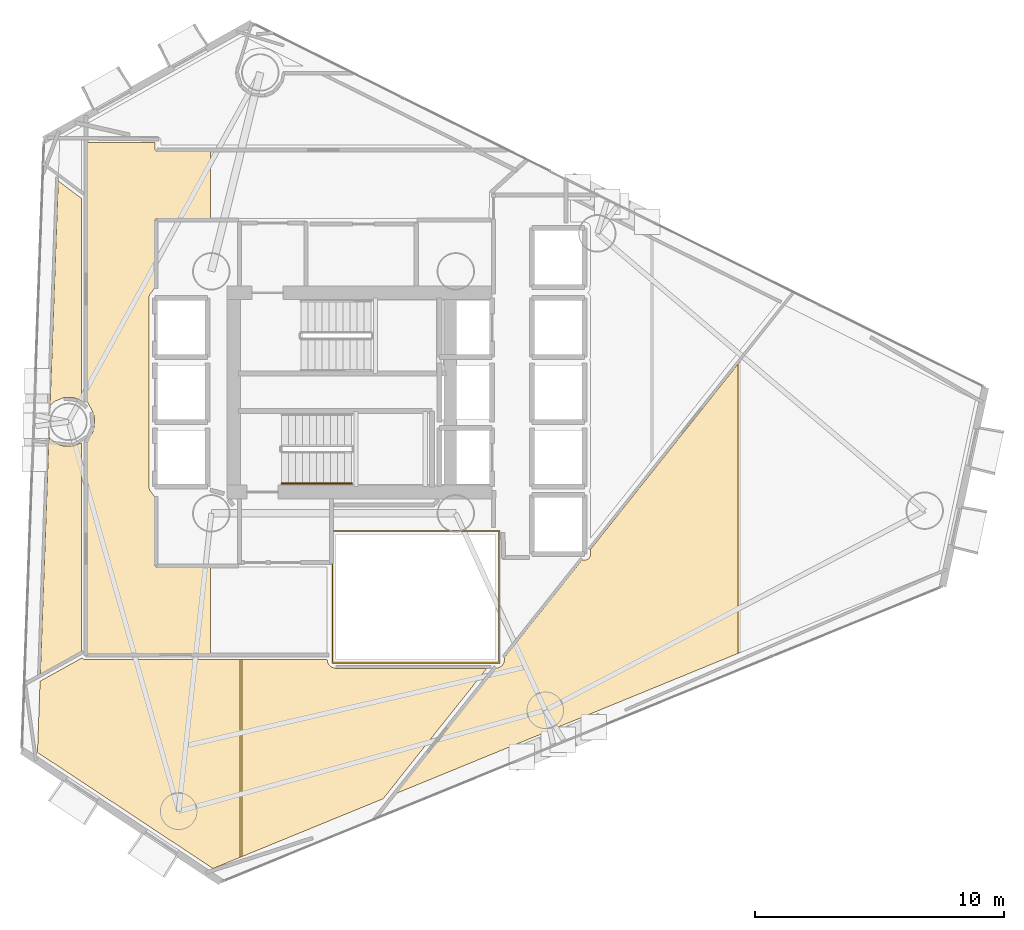
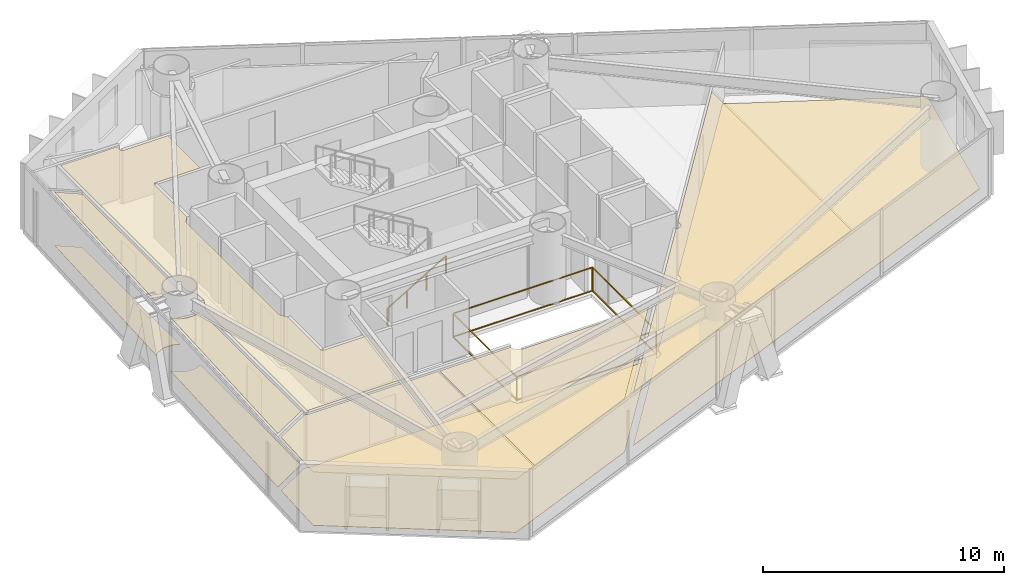
# One storey, part 20 of 22: 10 coverings, 2 railings.
"""IFC4 building model written with IfcOpenShell, lengths in metres."""

from ifc_helpers import new_model, si_unit, direction, frame, origin, origin_2d, place, context, subcontext, project, spatial, polyline, rectangle, outline, extrude, material, layer, layer_set, type_object, element, save


model = new_model("IFC4")

# Units and contexts
model_context = context("Model", 3, precision=1e-05, world=origin(), true_north=direction((0.0, 1.0)))
body_context = subcontext(model_context, "Body", "Model", "MODEL_VIEW")
ifc_project = project(units=[si_unit("LENGTHUNIT", "METRE"), si_unit("AREAUNIT", "SQUARE_METRE"), si_unit("VOLUMEUNIT", "CUBIC_METRE"), si_unit("PLANEANGLEUNIT", "RADIAN"), si_unit("MASSUNIT", "GRAM", prefix="KILO")], contexts=[model_context])

# Site, building, storey
site_placement = place(None, origin())
site = spatial("IfcSite", under=ifc_project, at=site_placement, CompositionType="ELEMENT")
building_placement = place(site_placement, origin())
building = spatial("IfcBuilding", under=site, at=building_placement, Name="Qianvela Tower", CompositionType="ELEMENT")
storey_placement = place(building_placement, frame((0.0, 0.0, 134.800048828125)))
storey = spatial("IfcBuildingStorey", under=building, at=storey_placement, Name="L34", CompositionType="ELEMENT", Elevation=134.800048828125)

# Coverings
ifc_material_1 = material(Name="Perforated Mineral Acoustic Ceiling Tile")
ifc_layer_1 = layer(ifc_material_1, 0.02490234375)
ifc_layer_set_1 = layer_set([ifc_layer_1], Name="Perforated Mineral Acoustic Ceiling Tile")
covering_type_1 = type_object("IfcCoveringType", Name="COV-CEIL-ACOUSTIC-25", PredefinedType="CEILING", material=ifc_layer_set_1)
covering_1_placement = place(storey_placement, frame((0.0, 0.0, 2.695068359375)))
element("IfcCovering", 1, at=covering_1_placement, inside=storey, type_object=covering_type_1, Name="L34 Acoustic Ceiling Bay 1 L34 Floor Corridor", PredefinedType="CEILING", context=body_context, shape_type="SweptSolid", body=[
    extrude(outline(polyline([(23.84814453125, 27.917724609375), (23.8447265625, 27.9248046875), (23.6298828125, 28.32666015625), (23.6298828125, 38.719970703125), (26.340087890625, 38.719970703125), (26.340087890625, 38.449951171875), (26.34033203125, 38.442138671875), (26.341552734375, 38.434326171875), (26.343505859375, 38.4267578125), (26.34619140625, 38.41943359375), (26.349365234375, 38.412353515625), (26.353515625, 38.405517578125), (26.358154296875, 38.399169921875), (26.36328125, 38.393310546875), (26.369140625, 38.38818359375), (26.37548828125, 38.383544921875), (26.38232421875, 38.37939453125), (26.389404296875, 38.376220703125), (26.396728515625, 38.373291015625), (26.404296875, 38.37158203125), (26.412109375, 38.370361328125), (26.419921875, 38.3701171875), (28.57568359375, 38.3701171875), (28.57568359375, 35.659912109375), (26.419921875, 35.659912109375), (26.412109375, 35.65966796875), (26.404296875, 35.658447265625), (26.396728515625, 35.656494140625), (26.389404296875, 35.65380859375), (26.38232421875, 35.650634765625), (26.37548828125, 35.646484375), (26.369140625, 35.641845703125), (26.36328125, 35.63671875), (26.358154296875, 35.630859375), (26.353515625, 35.62451171875), (26.349365234375, 35.61767578125), (26.34619140625, 35.610595703125), (26.343505859375, 35.603271484375), (26.341552734375, 35.595703125), (26.34033203125, 35.587890625), (26.340087890625, 35.580078125), (26.340087890625, 32.89599609375), (26.139404296875, 32.62548828125), (26.135498046875, 32.61962890625), (26.132080078125, 32.61376953125), (26.12939453125, 32.607421875), (26.126953125, 32.60107421875), (26.103515625, 32.523193359375), (26.1015625, 32.515625), (26.100341796875, 32.5078125), (26.10009765625, 32.5), (26.10009765625, 24.89990234375), (26.100341796875, 24.89208984375), (26.1015625, 24.884521484375), (26.103515625, 24.876708984375), (26.126953125, 24.799072265625), (26.12939453125, 24.79248046875), (26.132080078125, 24.786376953125), (26.135498046875, 24.7802734375), (26.139404296875, 24.774658203125), (26.340087890625, 24.50390625), (26.340087890625, 21.780029296875), (26.34033203125, 21.772216796875), (26.341552734375, 21.764404296875), (26.343505859375, 21.7568359375), (26.34619140625, 21.74951171875), (26.349365234375, 21.7421875), (26.353515625, 21.735595703125), (26.358154296875, 21.729248046875), (26.36328125, 21.723388671875), (26.369140625, 21.71826171875), (26.37548828125, 21.71337890625), (26.38232421875, 21.70947265625), (26.389404296875, 21.7060546875), (26.396728515625, 21.703369140625), (26.404296875, 21.701416015625), (26.412109375, 21.700439453125), (26.419921875, 21.699951171875), (28.57568359375, 21.699951171875), (28.57568359375, 18.22998046875), (23.6298828125, 18.22998046875), (23.6298828125, 26.705322265625), (23.8447265625, 27.107177734375), (23.84814453125, 27.1142578125), (23.8505859375, 27.12158203125), (23.906005859375, 27.303466796875), (23.90771484375, 27.311279296875), (23.908935546875, 27.31884765625), (23.909423828125, 27.326904296875), (23.909423828125, 27.705078125), (23.908935546875, 27.713134765625), (23.90771484375, 27.720703125), (23.906005859375, 27.728515625), (23.8505859375, 27.910400390625), (23.84814453125, 27.917724609375)])), origin(), (0.0, 0.0, 1.0), 0.02490234375),
])
covering_2_placement = place(storey_placement, frame((0.0, 0.0, 2.695068359375)))
element("IfcCovering", 2, at=covering_2_placement, inside=storey, type_object=covering_type_1, Name="L34 Acoustic Ceiling Panoramic Study Lounge L34-01", PredefinedType="CEILING", context=body_context, shape_type="SweptSolid", body=[
    extrude(outline(polyline([(22.09228515625, 26.919921875), (22.172607421875, 26.82177734375), (22.177978515625, 26.81591796875), (22.183837890625, 26.810791015625), (22.190185546875, 26.805908203125), (22.4853515625, 26.60888671875), (22.491943359375, 26.604736328125), (22.4990234375, 26.601318359375), (22.506591796875, 26.5986328125), (22.67724609375, 26.546875), (22.684814453125, 26.544921875), (22.692626953125, 26.5439453125), (22.700439453125, 26.54345703125), (23.055419921875, 26.54345703125), (23.0634765625, 26.5439453125), (23.071044921875, 26.544921875), (23.078857421875, 26.546875), (23.086181640625, 26.549560546875), (23.389892578125, 26.67529296875), (23.389892578125, 18.318115234375), (21.746826171875, 17.4072265625), (22.09228515625, 26.919921875)])), origin(), (0.0, 0.0, 1.0), 0.02490234375),
])
covering_3_placement = place(storey_placement, frame((0.0, 0.0, 2.695068359375)))
element("IfcCovering", 3, at=covering_3_placement, inside=storey, type_object=covering_type_1, Name="L34 Acoustic Ceiling Commons Day Lounge L34-03", PredefinedType="CEILING", context=body_context, shape_type="SweptSolid", body=[
    extrude(outline(polyline([(23.389892578125, 28.35986328125), (23.263916015625, 28.42724609375), (23.2568359375, 28.4306640625), (23.24951171875, 28.433349609375), (23.078857421875, 28.485107421875), (23.071044921875, 28.487060546875), (23.0634765625, 28.488037109375), (23.055419921875, 28.488525390625), (22.700439453125, 28.488525390625), (22.692626953125, 28.488037109375), (22.684814453125, 28.487060546875), (22.67724609375, 28.485107421875), (22.669921875, 28.482421875), (22.341796875, 28.346435546875), (22.334716796875, 28.34326171875), (22.327880859375, 28.339111328125), (22.32177734375, 28.33447265625), (22.183837890625, 28.22119140625), (22.177978515625, 28.21630859375), (22.1728515625, 28.21044921875), (22.168212890625, 28.204345703125), (22.13720703125, 28.158447265625), (22.46484375, 37.177001953125), (23.389892578125, 36.47998046875), (23.389892578125, 28.35986328125)])), origin(), (0.0, 0.0, 1.0), 0.02490234375),
])
covering_4_placement = place(storey_placement, frame((0.0, 0.0, 2.695068359375)))
element("IfcCovering", 4, at=covering_4_placement, inside=storey, type_object=covering_type_1, Name="L34 Acoustic Ceiling Bay 1 Quiet Reading Study L34-04A", PredefinedType="CEILING", context=body_context, shape_type="SweptSolid", body=[
    extrude(outline(polyline([(40.119384765625, 17.662109375), (40.127685546875, 17.6640625), (40.135986328125, 17.666748046875), (40.14404296875, 17.67041015625), (40.151611328125, 17.6748046875), (40.242431640625, 17.735595703125), (40.248779296875, 17.740234375), (40.254638671875, 17.745361328125), (40.259765625, 17.751220703125), (40.264404296875, 17.757568359375), (40.3251953125, 17.848388671875), (40.3291015625, 17.855224609375), (40.33251953125, 17.8623046875), (40.335205078125, 17.86962890625), (40.337158203125, 17.877197265625), (40.33837890625, 17.885009765625), (40.357421875, 18.080322265625), (43.461181640625, 21.980712890625), (43.59375, 21.980712890625), (43.6025390625, 21.981201171875), (43.611328125, 21.982666015625), (43.619873046875, 21.985107421875), (43.6279296875, 21.98828125), (43.713134765625, 22.02880859375), (43.72021484375, 22.032470703125), (43.726806640625, 22.03662109375), (43.732666015625, 22.041748046875), (43.73828125, 22.04736328125), (43.743408203125, 22.05322265625), (43.74755859375, 22.059814453125), (43.751220703125, 22.06689453125), (43.79150390625, 22.152099609375), (43.794921875, 22.16015625), (43.79736328125, 22.168701171875), (43.798828125, 22.177490234375), (43.79931640625, 22.186279296875), (43.79931640625, 22.40576171875), (49.721435546875, 29.847412109375), (49.721435546875, 18.239013671875), (36.0166015625, 12.625732421875), (40.011474609375, 17.645751953125), (40.119384765625, 17.662109375)])), origin(), (0.0, 0.0, 1.0), 0.02490234375),
])
covering_5_placement = place(storey_placement, frame((0.0, 0.0, 2.695068359375)))
element("IfcCovering", 5, at=covering_5_placement, inside=storey, type_object=covering_type_1, Name="L34 Acoustic Ceiling Bay 1 Panoramic Study Lounge L34-04B", PredefinedType="CEILING", context=body_context, shape_type="SweptSolid", body=[
    extrude(outline(polyline([(21.736328125, 17.12255859375), (23.4208984375, 18.056396484375), (23.423583984375, 18.052001953125), (23.4287109375, 18.0458984375), (23.43408203125, 18.040283203125), (23.4404296875, 18.03515625), (23.447021484375, 18.03076171875), (23.4541015625, 18.02685546875), (23.515869140625, 17.997802734375), (23.52392578125, 17.994384765625), (23.532470703125, 17.991943359375), (23.541259765625, 17.990478515625), (23.550048828125, 17.989990234375), (29.75341796875, 17.989990234375), (29.75341796875, 10.060546875), (28.6669921875, 9.615478515625), (21.6328125, 14.265380859375), (21.736328125, 17.12255859375)])), origin(), (0.0, 0.0, 1.0), 0.02490234375),
])
covering_6_placement = place(storey_placement, frame((0.0, 0.0, 2.695068359375)))
element("IfcCovering", 6, at=covering_6_placement, inside=storey, type_object=covering_type_1, Name="L34 Acoustic Ceiling Bay 2 Panoramic Study Lounge L34-04B", PredefinedType="CEILING", context=body_context, shape_type="SweptSolid", body=[
    extrude(outline(polyline([(33.24609375, 17.989990234375), (33.252197265625, 17.912353515625), (33.25341796875, 17.904296875), (33.25537109375, 17.896240234375), (33.258056640625, 17.888427734375), (33.261474609375, 17.881103515625), (33.31298828125, 17.78466796875), (33.31689453125, 17.77783203125), (33.32177734375, 17.771484375), (33.326904296875, 17.765869140625), (33.332763671875, 17.760498046875), (33.417236328125, 17.691162109375), (33.42431640625, 17.68603515625), (33.431884765625, 17.681640625), (33.440185546875, 17.677978515625), (33.448486328125, 17.675537109375), (33.58056640625, 17.642333984375), (33.5869140625, 17.64111328125), (33.593505859375, 17.640380859375), (33.60009765625, 17.639892578125), (39.64892578125, 17.639892578125), (35.485595703125, 12.408447265625), (29.83349609375, 10.09326171875), (29.83349609375, 17.989990234375), (33.24609375, 17.989990234375)])), origin(), (0.0, 0.0, 1.0), 0.02490234375),
])
ifc_material_2 = material(Name="Engineered Acoustic Oak Timber Flooring", Category="wood")
ifc_layer_2 = layer(ifc_material_2, 0.02001953125)
ifc_layer_set_2 = layer_set([ifc_layer_2], Name="Engineered Acoustic Oak Timber Flooring")
covering_type_2 = type_object("IfcCoveringType", Name="COV-FLOOR-OAK-20", PredefinedType="FLOORING", material=ifc_layer_set_2)
covering_7_placement = place(storey_placement, origin())
element("IfcCovering", 7, at=covering_7_placement, inside=storey, type_object=covering_type_2, Name="L34 Finish Flooring Panoramic Study Lounge L34-01", PredefinedType="FLOORING", context=body_context, shape_type="SweptSolid", body=[
    extrude(outline(polyline([(22.09228515625, 26.919921875), (22.172607421875, 26.82177734375), (22.177978515625, 26.81591796875), (22.183837890625, 26.810791015625), (22.190185546875, 26.805908203125), (22.4853515625, 26.60888671875), (22.491943359375, 26.604736328125), (22.4990234375, 26.601318359375), (22.506591796875, 26.5986328125), (22.67724609375, 26.546875), (22.684814453125, 26.544921875), (22.692626953125, 26.5439453125), (22.700439453125, 26.54345703125), (23.055419921875, 26.54345703125), (23.0634765625, 26.5439453125), (23.071044921875, 26.544921875), (23.078857421875, 26.546875), (23.086181640625, 26.549560546875), (23.389892578125, 26.67529296875), (23.389892578125, 18.318115234375), (21.746826171875, 17.4072265625), (22.09228515625, 26.919921875)])), origin(), (0.0, 0.0, 1.0), 0.02001953125),
])
covering_8_placement = place(storey_placement, origin())
element("IfcCovering", 8, at=covering_8_placement, inside=storey, type_object=covering_type_2, Name="L34 Finish Flooring Commons Day Lounge L34-03", PredefinedType="FLOORING", context=body_context, shape_type="SweptSolid", body=[
    extrude(outline(polyline([(23.389892578125, 28.35986328125), (23.263916015625, 28.42724609375), (23.2568359375, 28.4306640625), (23.24951171875, 28.433349609375), (23.078857421875, 28.485107421875), (23.071044921875, 28.487060546875), (23.0634765625, 28.488037109375), (23.055419921875, 28.488525390625), (22.700439453125, 28.488525390625), (22.692626953125, 28.488037109375), (22.684814453125, 28.487060546875), (22.67724609375, 28.485107421875), (22.669921875, 28.482421875), (22.341796875, 28.346435546875), (22.334716796875, 28.34326171875), (22.327880859375, 28.339111328125), (22.32177734375, 28.33447265625), (22.183837890625, 28.22119140625), (22.177978515625, 28.21630859375), (22.1728515625, 28.21044921875), (22.168212890625, 28.204345703125), (22.13720703125, 28.158447265625), (22.46484375, 37.177001953125), (23.389892578125, 36.47998046875), (23.389892578125, 28.35986328125)])), origin(), (0.0, 0.0, 1.0), 0.02001953125),
])
covering_9_placement = place(storey_placement, origin())
element("IfcCovering", 9, at=covering_9_placement, inside=storey, type_object=covering_type_2, Name="L34 Finish Flooring Quiet Reading Study L34-04A", PredefinedType="FLOORING", context=body_context, shape_type="SweptSolid", body=[
    extrude(outline(polyline([(40.011474609375, 17.645751953125), (40.119384765625, 17.662109375), (40.127685546875, 17.6640625), (40.135986328125, 17.666748046875), (40.14404296875, 17.67041015625), (40.151611328125, 17.6748046875), (40.242431640625, 17.735595703125), (40.248779296875, 17.740234375), (40.254638671875, 17.745361328125), (40.259765625, 17.751220703125), (40.264404296875, 17.757568359375), (40.3251953125, 17.848388671875), (40.3291015625, 17.855224609375), (40.33251953125, 17.8623046875), (40.335205078125, 17.86962890625), (40.337158203125, 17.877197265625), (40.33837890625, 17.885009765625), (40.357421875, 18.080322265625), (43.461181640625, 21.980712890625), (43.59375, 21.980712890625), (43.6025390625, 21.981201171875), (43.611328125, 21.982666015625), (43.619873046875, 21.985107421875), (43.6279296875, 21.98828125), (43.713134765625, 22.02880859375), (43.72021484375, 22.032470703125), (43.726806640625, 22.03662109375), (43.732666015625, 22.041748046875), (43.73828125, 22.04736328125), (43.743408203125, 22.05322265625), (43.74755859375, 22.059814453125), (43.751220703125, 22.06689453125), (43.79150390625, 22.152099609375), (43.794921875, 22.16015625), (43.79736328125, 22.168701171875), (43.798828125, 22.177490234375), (43.79931640625, 22.186279296875), (43.79931640625, 22.40576171875), (51.586181640625, 32.190673828125), (59.23095703125, 28.390380859375), (57.760009765625, 21.531494140625), (36.0166015625, 12.625732421875), (40.011474609375, 17.645751953125)])), origin(), (0.0, 0.0, 1.0), 0.02001953125),
])
covering_10_placement = place(storey_placement, origin())
element("IfcCovering", 10, at=covering_10_placement, inside=storey, type_object=covering_type_2, Name="L34 Finish Flooring Panoramic Study Lounge L34-04B", PredefinedType="FLOORING", context=body_context, shape_type="SweptSolid", body=[
    extrude(outline(polyline([(21.6328125, 14.265380859375), (21.736328125, 17.12255859375), (23.4208984375, 18.056396484375), (23.423583984375, 18.052001953125), (23.4287109375, 18.0458984375), (23.43408203125, 18.040283203125), (23.4404296875, 18.03515625), (23.447021484375, 18.03076171875), (23.4541015625, 18.02685546875), (23.515869140625, 17.997802734375), (23.52392578125, 17.994384765625), (23.532470703125, 17.991943359375), (23.541259765625, 17.990478515625), (23.550048828125, 17.989990234375), (33.24609375, 17.989990234375), (33.252197265625, 17.912353515625), (33.25341796875, 17.904296875), (33.25537109375, 17.896240234375), (33.258056640625, 17.888427734375), (33.261474609375, 17.881103515625), (33.31298828125, 17.78466796875), (33.31689453125, 17.77783203125), (33.32177734375, 17.771484375), (33.326904296875, 17.765869140625), (33.332763671875, 17.760498046875), (33.417236328125, 17.691162109375), (33.42431640625, 17.68603515625), (33.431884765625, 17.681640625), (33.440185546875, 17.677978515625), (33.448486328125, 17.675537109375), (33.58056640625, 17.642333984375), (33.5869140625, 17.64111328125), (33.593505859375, 17.640380859375), (33.60009765625, 17.639892578125), (39.64892578125, 17.639892578125), (35.485595703125, 12.408447265625), (28.6669921875, 9.615478515625), (21.6328125, 14.265380859375)])), origin(), (0.0, 0.0, 1.0), 0.02001953125),
])

# Railings
ifc_material_3 = material(Name="Laminated Safety Glass and Stainless Steel 316", Category="steel")
railing_type_1 = type_object("IfcRailingType", Name="RL-ATRIUM-GUARD-1250", PredefinedType="GUARDRAIL", material=ifc_material_3)
railing_1_placement = place(storey_placement, frame((33.4599609375, 17.860107421875, 0.0)))
element("IfcRailing", 11, at=railing_1_placement, inside=storey, type_object=railing_type_1, Name="L34 Atrium Edge Guardrail 1", PredefinedType="GUARDRAIL", context=body_context, shape_type="SweptSolid", body=[
    extrude(rectangle(XDim=0.050048828125, YDim=0.0400390625, at=origin_2d()), frame((0.0, 0.0, 1.22998046875), z_axis=(0.0, 1.0, 0.0), x_axis=(-1.0, 0.0, 0.0)), (0.0, 0.0, 1.0), 5.27978515625),
    extrude(rectangle(XDim=0.050048828125, YDim=0.0400390625, at=origin_2d()), frame((0.0, 0.0, 0.050048828125), z_axis=(0.0, 1.0, 0.0), x_axis=(-1.0, 0.0, 0.0)), (0.0, 0.0, 1.0), 5.27978515625),
    extrude(rectangle(XDim=0.050048828125, YDim=0.0400390625, at=origin_2d()), frame((0.0, 5.27978515625, 1.22998046875), z_axis=(1.0, 0.0, 0.0), x_axis=(0.0, 1.0, 0.0)), (0.0, 0.0, 1.0), 6.679931640625),
    extrude(rectangle(XDim=0.050048828125, YDim=0.0400390625, at=origin_2d()), frame((0.0, 5.27978515625, 0.050048828125), z_axis=(1.0, 0.0, 0.0), x_axis=(0.0, 1.0, 0.0)), (0.0, 0.0, 1.0), 6.679931640625),
    extrude(rectangle(XDim=0.050048828125, YDim=0.0400390625, at=origin_2d()), frame((6.679931640625, 5.27978515625, 1.22998046875), z_axis=(0.0, -1.0, 0.0), x_axis=(1.0, 0.0, 0.0)), (0.0, 0.0, 1.0), 5.27978515625),
    extrude(rectangle(XDim=0.050048828125, YDim=0.0400390625, at=origin_2d()), frame((6.679931640625, 5.27978515625, 0.050048828125), z_axis=(0.0, -1.0, 0.0), x_axis=(1.0, 0.0, 0.0)), (0.0, 0.0, 1.0), 5.27978515625),
    extrude(rectangle(XDim=0.050048828125, YDim=0.0400390625, at=origin_2d()), frame((6.679931640625, 0.0, 1.22998046875), z_axis=(-1.0, 0.0, 0.0), x_axis=(0.0, -1.0, 0.0)), (0.0, 0.0, 1.0), 6.679931640625),
    extrude(rectangle(XDim=0.050048828125, YDim=0.0400390625, at=origin_2d()), frame((6.679931640625, 0.0, 0.050048828125), z_axis=(-1.0, 0.0, 0.0), x_axis=(0.0, -1.0, 0.0)), (0.0, 0.0, 1.0), 6.679931640625),
    extrude(rectangle(XDim=0.050048828125, YDim=0.050048828125, at=origin_2d()), origin(), (0.0, 0.0, 1.0), 1.2099609375),
    extrude(rectangle(XDim=0.050048828125, YDim=0.050048828125, at=origin_2d()), frame((0.0, 5.27978515625, 0.0)), (0.0, 0.0, 1.0), 1.2099609375),
    extrude(rectangle(XDim=0.050048828125, YDim=0.050048828125, at=origin_2d()), frame((6.679931640625, 5.27978515625, 0.0)), (0.0, 0.0, 1.0), 1.2099609375),
    extrude(rectangle(XDim=0.050048828125, YDim=0.050048828125, at=origin_2d()), frame((6.679931640625, 0.0, 0.0)), (0.0, 0.0, 1.0), 1.2099609375),
])
ifc_material_4 = material(Name="Brushed Stainless Steel 304", Category="steel")
railing_type_2 = type_object("IfcRailingType", Name="RL-STAIR-HANDRAIL-900", PredefinedType="HANDRAIL", material=ifc_material_4)
railing_2_placement = place(storey_placement, frame((31.419921875, 25.050048828125, 0.168212890625)))
element("IfcRailing", 12, at=railing_2_placement, inside=storey, type_object=railing_type_2, Name="L34 ST-2 stair handrail 1", PredefinedType="HANDRAIL", context=body_context, shape_type="SweptSolid", body=[
    extrude(rectangle(XDim=0.050048828125, YDim=0.0400390625, at=origin_2d()), frame((0.0, 0.0, 0.8798828125), z_axis=(0.857275202839, 0.0, 0.514858452973), x_axis=(0.0, 1.0, 0.0)), (0.0, 0.0, 1.0), 3.26611328125),
    extrude(rectangle(XDim=0.050048828125, YDim=0.050048828125, at=origin_2d()), origin(), (0.0, 0.0, 1.0), 0.85986328125),
    extrude(rectangle(XDim=0.050048828125, YDim=0.050048828125, at=origin_2d()), frame((0.933349609375, 0.0, 0.560546875)), (0.0, 0.0, 1.0), 0.85986328125),
    extrude(rectangle(XDim=0.050048828125, YDim=0.050048828125, at=origin_2d()), frame((1.86669921875, 0.0, 1.12109375)), (0.0, 0.0, 1.0), 0.85986328125),
    extrude(rectangle(XDim=0.050048828125, YDim=0.050048828125, at=origin_2d()), frame((2.800048828125, 0.0, 1.681640625)), (0.0, 0.0, 1.0), 0.85986328125),
])

save(model, "model.ifc")
